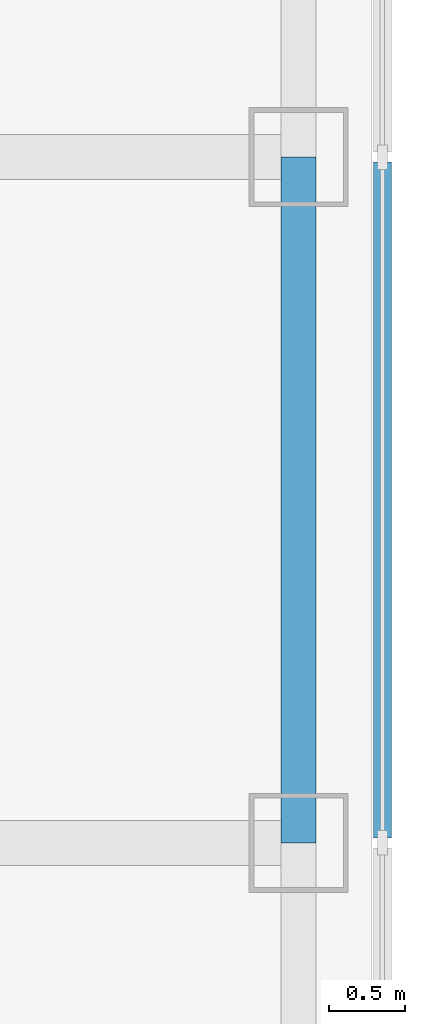
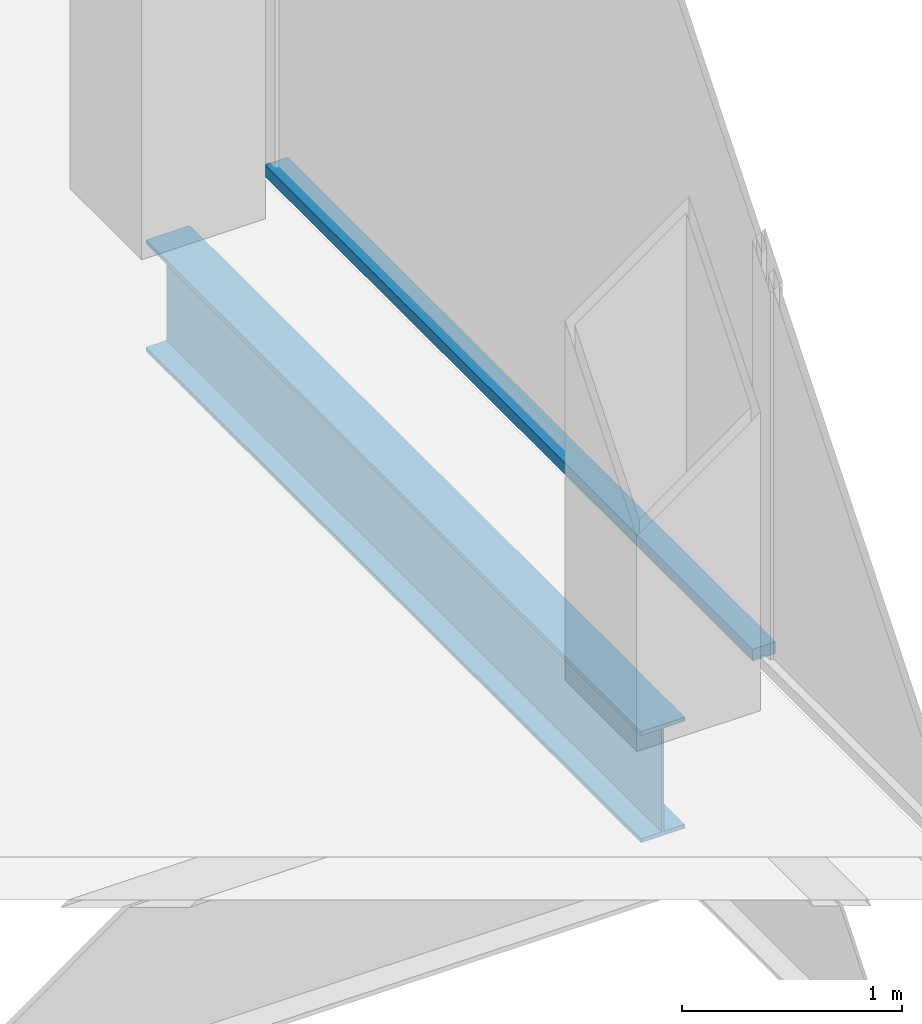
# One storey, part 5 of 13: 1 beam, 1 member, 1 element without a shape of its own.
"""IFC4 building model written with IfcOpenShell, lengths in metres."""

from ifc_helpers import new_model, si_unit, direction, frame, origin, origin_2d, place, context, subcontext, project, spatial, rectangle, i_section, extrude, material, material_profile, profile_set, type_object, element, aggregate, save


model = new_model("IFC4")

# Units and contexts
model_context = context("Model", 3, precision=1e-05, world=origin(), true_north=direction((0.0, 1.0)))
body_context = subcontext(model_context, "Body", "Model", "MODEL_VIEW")
ifc_project = project(units=[si_unit("LENGTHUNIT", "METRE"), si_unit("AREAUNIT", "SQUARE_METRE"), si_unit("VOLUMEUNIT", "CUBIC_METRE"), si_unit("PLANEANGLEUNIT", "RADIAN"), si_unit("MASSUNIT", "GRAM", prefix="KILO")], contexts=[model_context])

# Site, building, storey
site_placement = place(None, origin())
site = spatial("IfcSite", under=ifc_project, at=site_placement, CompositionType="ELEMENT")
building_placement = place(site_placement, origin())
building = spatial("IfcBuilding", under=site, at=building_placement, Name="Corais Broadcast Tower", CompositionType="ELEMENT")
storey_placement = place(building_placement, frame((0.0, 0.0, 226.60009765625)))
storey = spatial("IfcBuildingStorey", under=building, at=storey_placement, Name="L52", CompositionType="ELEMENT", Elevation=226.60009765625)

# Beam
ifc_material_1 = material(Name="Steel ASTM A572 Grade 50", Category="steel")
ifc_material_profile_1 = material_profile(ifc_material_1, i_section(OverallWidth=0.22998046875, OverallDepth=0.616943359375, WebThickness=0.01318359375, FlangeThickness=0.022216796875, at=origin_2d()), Name="W610x140")
ifc_profile_set_1 = profile_set([ifc_material_profile_1], Name="Steel ASTM A572 Grade 50")
beam_type = type_object("IfcBeamType", Name="Spandrel W610x140", PredefinedType="BEAM", material=ifc_profile_set_1)
beam_placement = place(storey_placement, frame((54.0, 27.0, -0.468505859375), z_axis=(0.0, 1.0, 0.0), x_axis=(-1.0, 0.0, 0.0)))
element("IfcBeam", 1, at=beam_placement, inside=storey, type_object=beam_type, Name="SB3 G/15 to H/15", PredefinedType="BEAM", context=body_context, shape_type="SweptSolid", body=[
    extrude(i_section(OverallWidth=0.22998046875, OverallDepth=0.616943359375, WebThickness=0.01318359375, FlangeThickness=0.022216796875, at=origin_2d()), origin(), (0.0, 0.0, 1.0), 4.5),
])

# Curtain wall, member
ifc_material_2 = material(Name="Aluminium and glass", Category="aluminium")
curtain_wall_type = type_object("IfcCurtainWallType", Name="Unitised fritted curtain wall CW3", PredefinedType="NOTDEFINED", material=ifc_material_2)
curtain_wall_placement = place(storey_placement, origin())
curtain_wall = element("IfcCurtainWall", 2, at=curtain_wall_placement, inside=storey, type_object=curtain_wall_type, Name="CW3 curtain wall L52 6", PredefinedType="NOTDEFINED")
ifc_material_3 = material(Name="Aluminium 6063-T6", Category="aluminium")
ifc_material_profile_2 = material_profile(ifc_material_3, rectangle(XDim=0.1201171875, YDim=0.06494140625, at=origin_2d()), Name="Transom CW3 65x120")
ifc_profile_set_2 = profile_set([ifc_material_profile_2], Name="Aluminium 6063-T6")
member_type = type_object("IfcMemberType", Name="Transom CW3 65x120", PredefinedType="USERDEFINED", material=ifc_profile_set_2)
member_placement = place(storey_placement, frame((54.550048828125, 31.467529296875, 0.032470703125), z_axis=(0.0, -1.0, 0.0), x_axis=(1.0, 0.0, 0.0)))
member = element("IfcMember", 3, at=member_placement, type_object=member_type, Name="CW3 transom 3.1", ObjectType="TRANSOM", PredefinedType="USERDEFINED", context=body_context, shape_type="SweptSolid", body=[
    extrude(rectangle(XDim=0.1201171875, YDim=0.06494140625, at=origin_2d()), origin(), (0.0, 0.0, 1.0), 4.43505859375),
])
aggregate(curtain_wall, [member])

save(model, "model.ifc")
